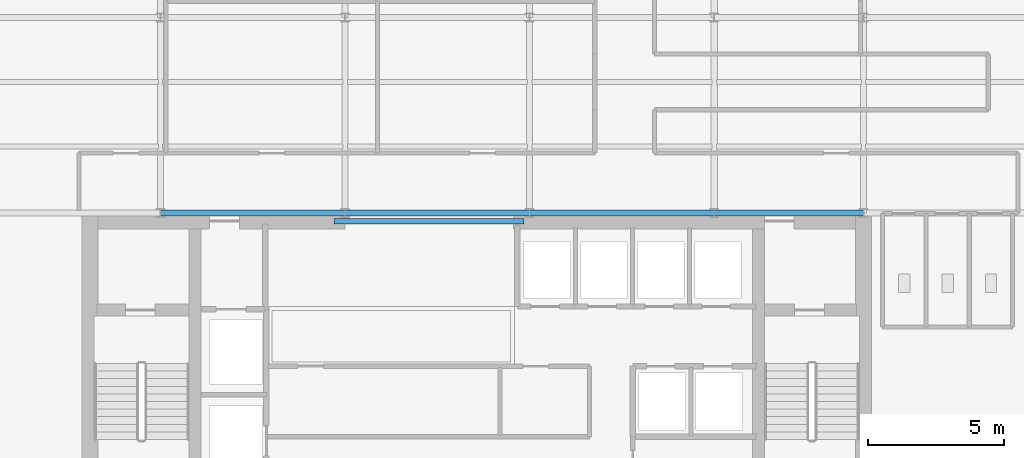
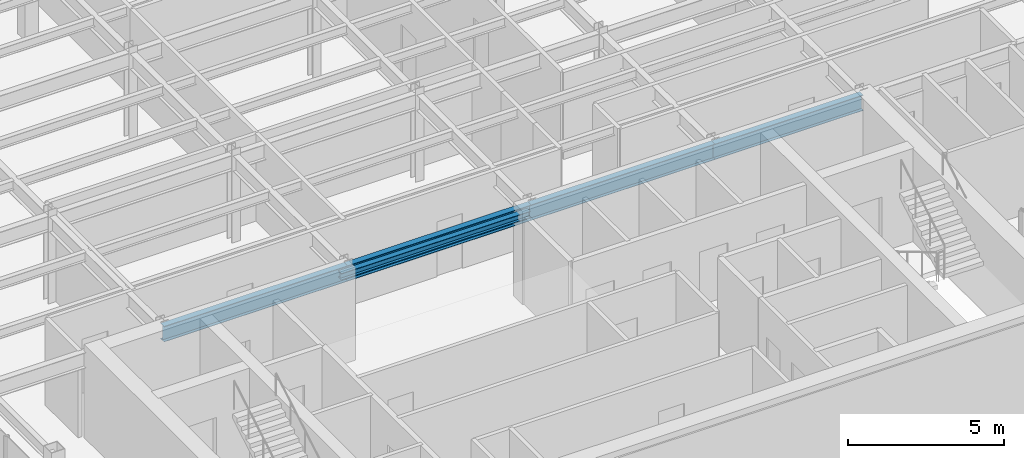
# One storey, part 4 of 22: 5 beams.
"""IFC4 building model written with IfcOpenShell, lengths in metres."""

from ifc_helpers import new_model, si_unit, derived_unit, direction, frame, origin, origin_2d, place, context, subcontext, project, spatial, i_section, extrude, source, transform, mapped, material, material_profile, profile_set, type_object, element, save


model = new_model("IFC4")

# Units and contexts
model_context = context("Model", 3, precision=1e-05, world=origin(), true_north=direction((0.0, 1.0)))
body_context = subcontext(model_context, "Body", "Model", "MODEL_VIEW")
ifc_project = project(units=[si_unit("LENGTHUNIT", "METRE"), si_unit("AREAUNIT", "SQUARE_METRE"), si_unit("VOLUMEUNIT", "CUBIC_METRE"), si_unit("PLANEANGLEUNIT", "RADIAN"), si_unit("MASSUNIT", "GRAM", prefix="KILO"), derived_unit("THERMALTRANSMITTANCEUNIT", [(si_unit("POWERUNIT", "WATT"), 1), (si_unit("LENGTHUNIT", "METRE"), -2), (si_unit("THERMODYNAMICTEMPERATUREUNIT", "KELVIN"), -1)])], contexts=[model_context])

# Site, building, storey
site_placement = place(None, origin())
site = spatial("IfcSite", under=ifc_project, at=site_placement, CompositionType="ELEMENT")
building_placement = place(site_placement, origin())
building = spatial("IfcBuilding", under=site, at=building_placement, Name="Skarnbrae Concourse Arena and Tower", CompositionType="ELEMENT")
storey_placement = place(building_placement, frame((0.0, 0.0, 195.89990234375)))
storey = spatial("IfcBuildingStorey", under=building, at=storey_placement, Name="L50", CompositionType="ELEMENT", Elevation=195.89990234375)

# Beams
ifc_material = material(Name="Steel CSA G40.21 350W", Category="steel")
ifc_material_profile_1 = material_profile(ifc_material, i_section(OverallWidth=0.202880859375, OverallDepth=0.251953125, WebThickness=0.008056640625, FlangeThickness=0.013427734375, at=origin_2d()), Name="W250X58")
ifc_profile_set_1 = profile_set([ifc_material_profile_1], Name="Steel CSA G40.21 350W")
beam_type_1 = type_object("IfcBeamType", Name="BM-LINTEL-W250X58", PredefinedType="LINTEL", material=ifc_profile_set_1)
shared_shape_1 = source(origin(), body_context, "Body", "SweptSolid", [
    extrude(i_section(OverallWidth=0.202880859375, OverallDepth=0.251953125, WebThickness=0.008056640625, FlangeThickness=0.013427734375, at=origin_2d()), origin(), (0.0, 0.0, 1.0), 7.0),
])
beam_1_placement = place(storey_placement, frame((14.0, 13.699951171875, 3.274169921875), z_axis=(1.0, 0.0, 0.0), x_axis=(0.0, 1.0, 0.0)))
element("IfcBeam", 1, at=beam_1_placement, inside=storey, type_object=beam_type_1, Name="L50 Core portal coupling lintel", PredefinedType="LINTEL", context=body_context, shape_type="MappedRepresentation", body=[
    mapped(shared_shape_1, transform((0.0, 0.0, 0.0))),
])
ifc_material_profile_2 = material_profile(ifc_material, i_section(OverallWidth=0.22802734375, OverallDepth=0.60791015625, WebThickness=0.01123046875, FlangeThickness=0.017333984375, at=origin_2d()), Name="W610X113")
ifc_profile_set_2 = profile_set([ifc_material_profile_2], Name="Steel CSA G40.21 350W")
beam_type_2 = type_object("IfcBeamType", Name="BM-GIRD-W610X113", PredefinedType="BEAM", material=ifc_profile_set_2)
shared_shape_2 = source(origin(), body_context, "Body", "SweptSolid", [
    extrude(i_section(OverallWidth=0.22802734375, OverallDepth=0.60791015625, WebThickness=0.01123046875, FlangeThickness=0.017333984375, at=origin_2d()), origin(), (0.0, 0.0, 1.0), 6.7998046875),
])
beam_2_placement = place(storey_placement, frame((7.60009765625, 14.0, 3.09619140625), z_axis=(1.0, 0.0, 0.0), x_axis=(0.0, 1.0, 0.0)))
element("IfcBeam", 2, at=beam_2_placement, inside=storey, type_object=beam_type_2, Name="L50 Primary E-W girder Y14.0-2", PredefinedType="BEAM", context=body_context, shape_type="MappedRepresentation", body=[
    mapped(shared_shape_2, transform((0.0, 0.0, 0.0))),
])
shared_shape_3 = source(origin(), body_context, "Body", "SweptSolid", [
    extrude(i_section(OverallWidth=0.22802734375, OverallDepth=0.60791015625, WebThickness=0.01123046875, FlangeThickness=0.017333984375, at=origin_2d()), origin(), (0.0, 0.0, 1.0), 6.800048828125),
])
for number, where, z_axis, x_axis, name in (
    (3, (14.39990234375, 14.0, 3.09619140625), (1.0, 0.0, 0.0), (0.0, 1.0, 0.0), "L50 Primary E-W girder Y14.0-3"),
    (4, (21.199951171875, 14.0, 3.09619140625), (1.0, 0.0, 0.0), (0.0, 1.0, 0.0), "L50 Primary E-W girder Y14.0-4"),
):
    element("IfcBeam", number, at=place(storey_placement, frame(where, z_axis=z_axis, x_axis=x_axis)), inside=storey, type_object=beam_type_2, Name=name, PredefinedType="BEAM", context=body_context, shape_type="MappedRepresentation", body=[
        mapped(shared_shape_3, transform((0.0, 0.0, 0.0))),
    ])
shared_shape_4 = source(origin(), body_context, "Body", "SweptSolid", [
    extrude(i_section(OverallWidth=0.22802734375, OverallDepth=0.60791015625, WebThickness=0.01123046875, FlangeThickness=0.017333984375, at=origin_2d()), origin(), (0.0, 0.0, 1.0), 5.5),
])
beam_3_placement = place(storey_placement, frame((28.0, 14.0, 3.09619140625), z_axis=(1.0, 0.0, 0.0), x_axis=(0.0, 1.0, 0.0)))
element("IfcBeam", 5, at=beam_3_placement, inside=storey, type_object=beam_type_2, Name="L50 Primary E-W girder Y14.0-5", PredefinedType="BEAM", context=body_context, shape_type="MappedRepresentation", body=[
    mapped(shared_shape_4, transform((0.0, 0.0, 0.0))),
])

save(model, "model.ifc")
